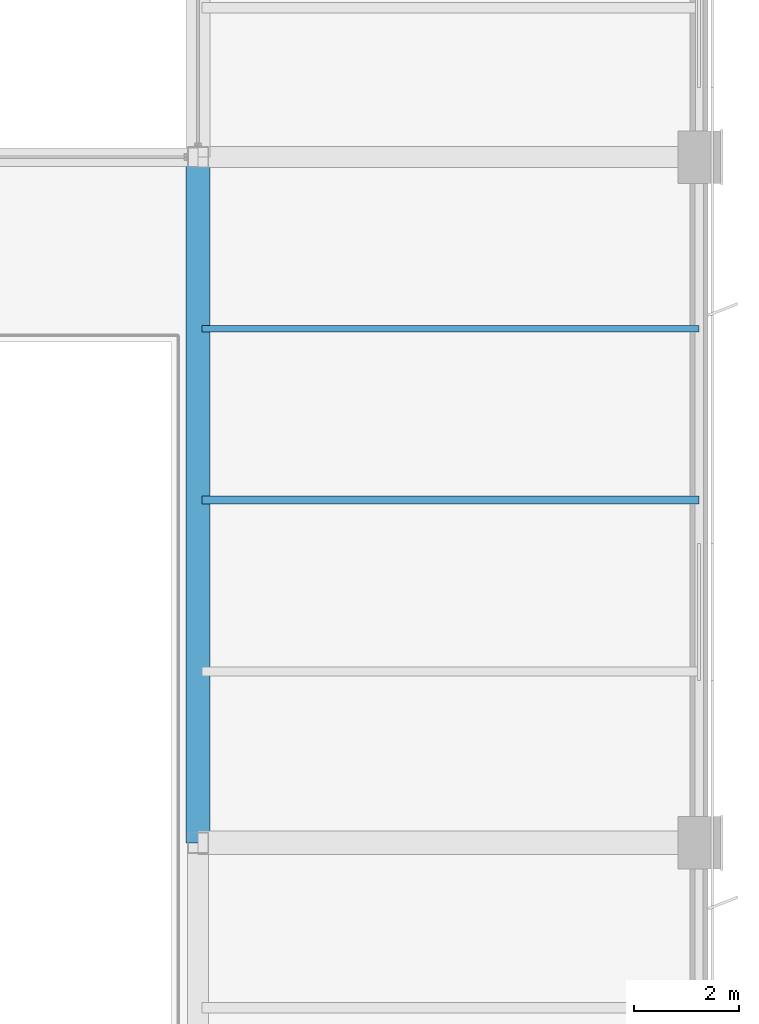
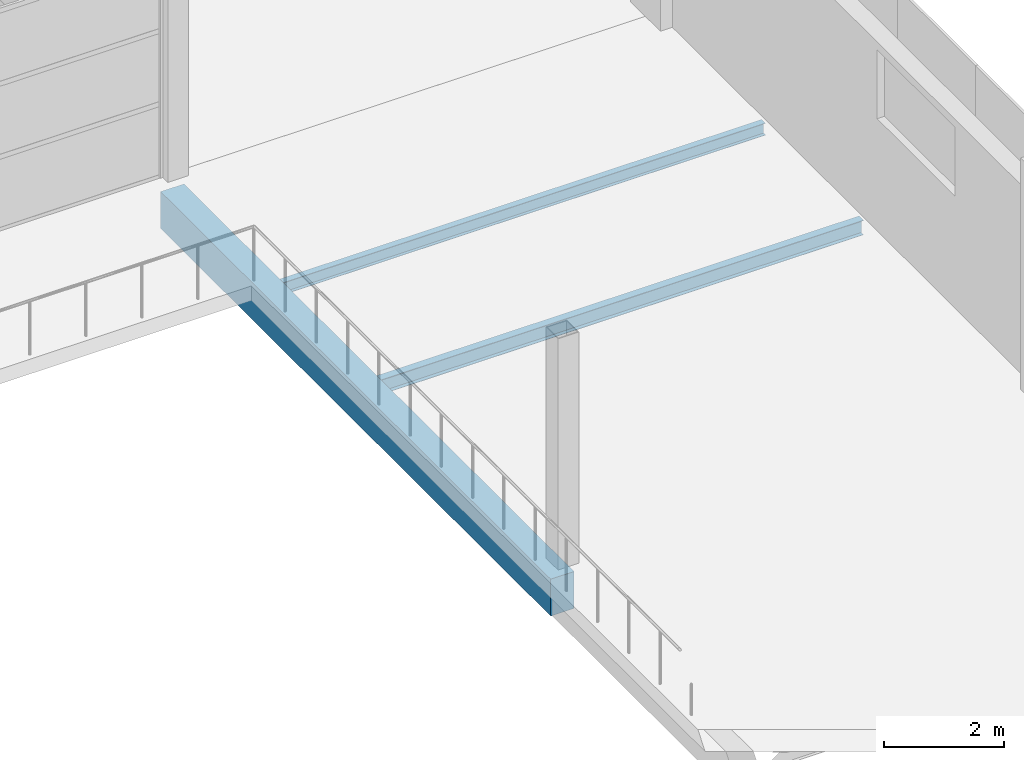
# One storey, part 67 of 112: 3 beams.
"""IFC4 building model written with IfcOpenShell, lengths in metres."""

from ifc_helpers import new_model, si_unit, direction, frame, origin, origin_2d, place, context, subcontext, project, spatial, rectangle, i_section, extrude, material, material_profile, profile_set, type_object, element, save


model = new_model("IFC4")

# Units and contexts
model_context = context("Model", 3, precision=1e-05, world=origin(), true_north=direction((0.0, 1.0)))
body_context = subcontext(model_context, "Body", "Model", "MODEL_VIEW")
ifc_project = project(units=[si_unit("LENGTHUNIT", "METRE"), si_unit("AREAUNIT", "SQUARE_METRE"), si_unit("VOLUMEUNIT", "CUBIC_METRE"), si_unit("PLANEANGLEUNIT", "RADIAN"), si_unit("MASSUNIT", "GRAM", prefix="KILO")], contexts=[model_context])

# Site, building, storey
site_placement = place(None, origin())
site = spatial("IfcSite", under=ifc_project, at=site_placement, CompositionType="ELEMENT")
building_placement = place(site_placement, origin())
building = spatial("IfcBuilding", under=site, at=building_placement, Name="Solvikara Media Centre", CompositionType="ELEMENT")
storey_placement = place(building_placement, frame((0.0, 0.0, 5.39990234375)))
storey = spatial("IfcBuildingStorey", under=building, at=storey_placement, Name="L01", CompositionType="ELEMENT", Elevation=5.39990234375)

# Beams
ifc_material_1 = material(Name="Concrete fc' 35 MPa (C35/45)", Category="concrete")
ifc_material_profile_1 = material_profile(ifc_material_1, rectangle(XDim=0.449951171875, YDim=0.75, at=origin_2d()), Name="RC 450x750")
ifc_profile_set_1 = profile_set([ifc_material_profile_1], Name="Concrete fc' 35 MPa (C35/45)")
beam_type_1 = type_object("IfcBeamType", Name="BM-05", PredefinedType="BEAM", material=ifc_profile_set_1)
beam_1_placement = place(storey_placement, frame((154.5, 59.0, -0.6748046875), z_axis=(0.0, 1.0, 0.0), x_axis=(-1.0, 0.0, 0.0)))
element("IfcBeam", 1, at=beam_1_placement, inside=storey, type_object=beam_type_1, Name="B-L01-Y0629", PredefinedType="BEAM", context=body_context, shape_type="SweptSolid", body=[
    extrude(rectangle(XDim=0.449951171875, YDim=0.75, at=origin_2d()), origin(), (0.0, 0.0, 1.0), 13.0),
])
ifc_material_2 = material(Name="Steel S355JR", Category="steel")
ifc_material_profile_2 = material_profile(ifc_material_2, i_section(OverallWidth=0.14892578125, OverallDepth=0.298095703125, WebThickness=0.005615234375, FlangeThickness=0.008056640625, at=origin_2d()), Name="WF 298x149x5.5x8")
ifc_profile_set_2 = profile_set([ifc_material_profile_2], Name="Steel S355JR")
beam_type_2 = type_object("IfcBeamType", Name="BM-39", PredefinedType="JOIST", material=ifc_profile_set_2)
beam_2_placement = place(storey_placement, frame((154.577880859375, 65.5, -0.450927734375), z_axis=(1.0, 0.0, 0.0), x_axis=(0.0, 1.0, 0.0)))
element("IfcBeam", 2, at=beam_2_placement, inside=storey, type_object=beam_type_2, Name="J-L01-0807", PredefinedType="JOIST", context=body_context, shape_type="SweptSolid", body=[
    extrude(i_section(OverallWidth=0.14892578125, OverallDepth=0.298095703125, WebThickness=0.005615234375, FlangeThickness=0.008056640625, at=origin_2d()), origin(), (0.0, 0.0, 1.0), 9.422119140625),
])
ifc_material_profile_3 = material_profile(ifc_material_2, i_section(OverallWidth=0.1240234375, OverallDepth=0.248046875, WebThickness=0.0048828125, FlangeThickness=0.008056640625, at=origin_2d()), Name="WF 248x124x5x8")
ifc_profile_set_3 = profile_set([ifc_material_profile_3], Name="Steel S355JR")
beam_type_3 = type_object("IfcBeamType", Name="BM-40", PredefinedType="JOIST", material=ifc_profile_set_3)
beam_3_placement = place(storey_placement, frame((154.577880859375, 68.75, -0.42578125), z_axis=(1.0, 0.0, 0.0), x_axis=(0.0, 1.0, 0.0)))
element("IfcBeam", 3, at=beam_3_placement, inside=storey, type_object=beam_type_3, Name="J-L01-0808", PredefinedType="JOIST", context=body_context, shape_type="SweptSolid", body=[
    extrude(i_section(OverallWidth=0.1240234375, OverallDepth=0.248046875, WebThickness=0.0048828125, FlangeThickness=0.008056640625, at=origin_2d()), origin(), (0.0, 0.0, 1.0), 9.422119140625),
])

save(model, "model.ifc")
